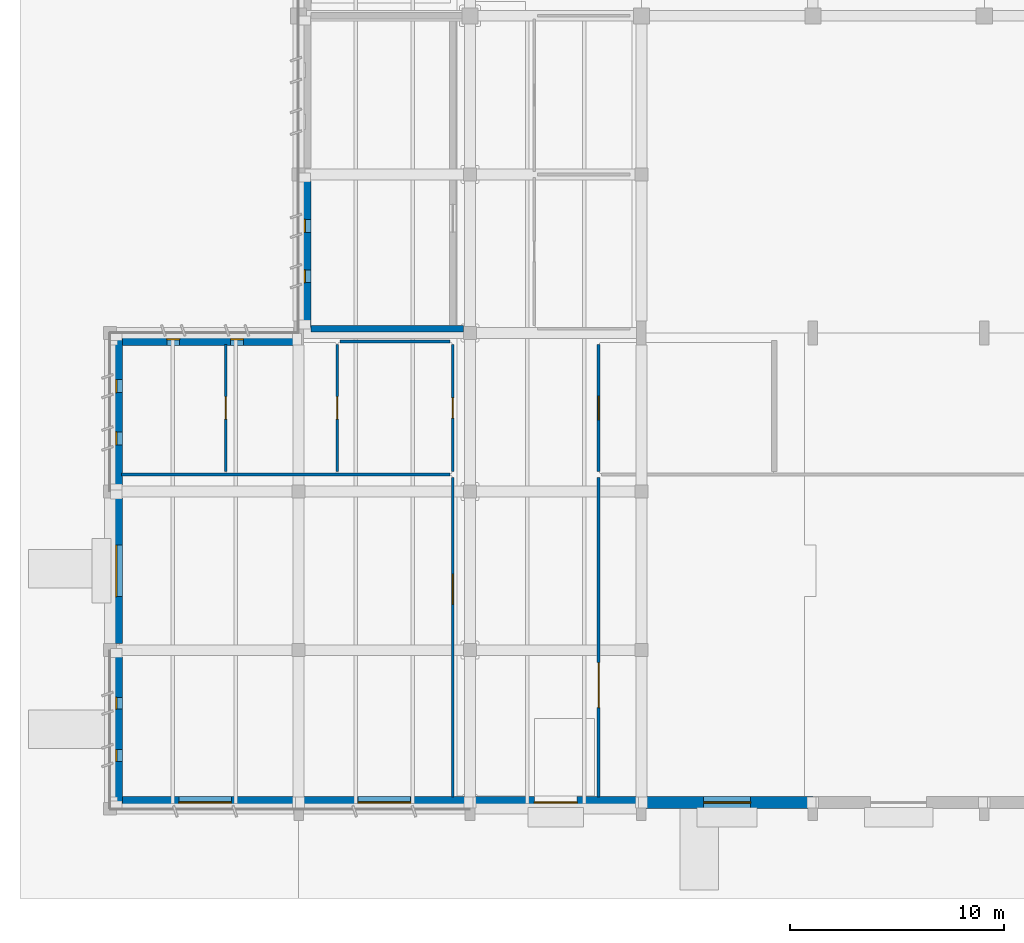
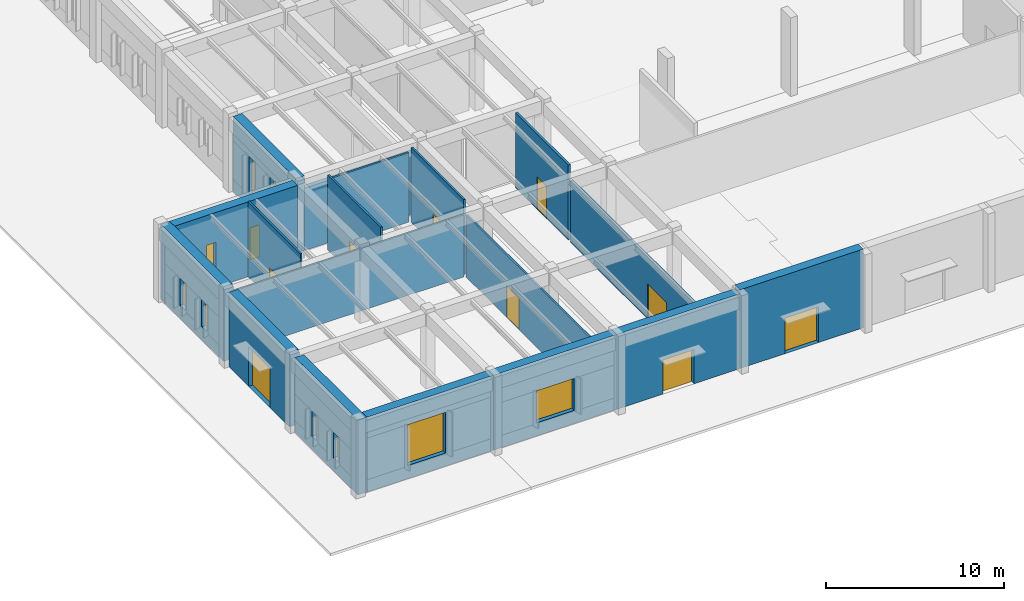
# One storey, part 16 of 56: 18 walls, 10 windows, 9 doors, 19 openings.
"""IFC4 building model written with IfcOpenShell, lengths in metres."""

from ifc_helpers import new_model, si_unit, direction, frame, frame_2d, origin, place, context, subcontext, project, spatial, rectangle, extrude, material, layer, layer_set, type_object, element, fill, save


model = new_model("IFC4")

# Units and contexts
model_context = context("Model", 3, precision=1e-05, world=origin(), true_north=direction((0.0, 1.0)))
body_context = subcontext(model_context, "Body", "Model", "MODEL_VIEW")
ifc_project = project(units=[si_unit("LENGTHUNIT", "METRE"), si_unit("AREAUNIT", "SQUARE_METRE"), si_unit("VOLUMEUNIT", "CUBIC_METRE"), si_unit("PLANEANGLEUNIT", "RADIAN"), si_unit("MASSUNIT", "GRAM", prefix="KILO")], contexts=[model_context])

# Site, building, storey
site_placement = place(None, origin())
site = spatial("IfcSite", under=ifc_project, at=site_placement, CompositionType="ELEMENT")
building_placement = place(site_placement, origin())
building = spatial("IfcBuilding", under=site, at=building_placement, Name="Valkorina Park Police Headquarters", CompositionType="ELEMENT")
storey_placement = place(building_placement, origin())
storey = spatial("IfcBuildingStorey", under=building, at=storey_placement, Name="L01", CompositionType="ELEMENT", Elevation=0.0)

# Wall, opening, door
ifc_material_1 = material(Name="Acoustic mineral board")
ifc_layer_1 = layer(ifc_material_1, 0.14990234375)
ifc_layer_set_1 = layer_set([ifc_layer_1], Name="Acoustic mineral board")
wall_type_1 = type_object("IfcWallType", Name="WL-ACOUST-150-EI30", PredefinedType="PARTITIONING", material=ifc_layer_set_1)
wall_1_placement = place(storey_placement, frame((22.800048828125, 0.5400390625, 0.0), z_axis=(0.0, 0.0, 1.0), x_axis=(0.0, 1.0, 0.0)))
wall_1 = element("IfcWall", 1, at=wall_1_placement, inside=storey, type_object=wall_type_1, Name="L01 Interior Partition 0046 (L01-PUB-01)", PredefinedType="PARTITIONING", context=body_context, shape_type="SweptSolid", body=[
    extrude(rectangle(XDim=14.919921875, YDim=0.14990234375, at=frame_2d((7.4599609375, 0.0))), origin(), (0.0, 0.0, 1.0), 4.27001953125),
])
opening_1_placement = place(wall_1_placement, frame((4.172119140625, 0.0, 0.0)))
opening_1 = element("IfcOpeningElement", 2, at=opening_1_placement, cuts=wall_1, Name="Opening ID-10", PredefinedType="OPENING", context=body_context, shape_type="SweptSolid", body=[
    extrude(rectangle(XDim=2.10009765625, YDim=2.39990234375, at=frame_2d((1.050048828125, 1.199951171875))), frame((0.0, 0.0849609375, 0.0), z_axis=(0.0, -1.0, 0.0), x_axis=(1.0, 0.0, 0.0)), (0.0, 0.0, 1.0), 0.169921875),
])
ifc_material_2 = material(Name="Thermally broken aluminium AW-6060", Category="aluminium")
ifc_layer_2 = layer(ifc_material_2, 0.050048828125)
ifc_layer_set_2 = layer_set([ifc_layer_2], Name="Thermally broken aluminium AW-6060")
door_type_1 = type_object("IfcDoorType", Name="DR-INT-CONC-2100x2400", OperationType="NOTDEFINED", PredefinedType="DOOR", material=ifc_layer_set_2)
door_1_placement = place(opening_1_placement, origin())
door_1 = element("IfcDoor", 3, at=door_1_placement, inside=storey, type_object=door_type_1, Name="Door D-L01-I018 (L01-PUB-01)", OperationType="DOUBLE_DOOR_SINGLE_SWING", OverallHeight=2.39990234375, OverallWidth=2.10009765625, PredefinedType="DOOR", context=body_context, shape_type="SweptSolid", body=[
    extrude(rectangle(XDim=2.10009765625, YDim=2.39990234375, at=frame_2d((1.050048828125, 1.199951171875))), frame((0.0, 0.02490234375, 0.0), z_axis=(0.0, -1.0, 0.0), x_axis=(1.0, 0.0, 0.0)), (0.0, 0.0, 1.0), 0.050048828125),
])
fill(opening_1, door_1)

wall_2_placement = place(storey_placement, frame((22.800048828125, 15.739990234375, 0.0), z_axis=(0.0, 0.0, 1.0), x_axis=(0.0, 1.0, 0.0)))
wall_2 = element("IfcWall", 4, at=wall_2_placement, inside=storey, type_object=wall_type_1, Name="L01 Interior Partition 0060 (L01-PUB-09)", PredefinedType="PARTITIONING", context=body_context, shape_type="SweptSolid", body=[
    extrude(rectangle(XDim=5.919921875, YDim=0.14990234375, at=frame_2d((2.9599609375, 0.0))), origin(), (0.0, 0.0, 1.0), 5.139892578125),
])
opening_2_placement = place(wall_2_placement, frame((2.409912109375, 0.0, 0.0)))
opening_2 = element("IfcOpeningElement", 5, at=opening_2_placement, cuts=wall_2, Name="Opening ID-05", PredefinedType="OPENING", context=body_context, shape_type="SweptSolid", body=[
    extrude(rectangle(XDim=1.10009765625, YDim=2.199951171875, at=frame_2d((0.550048828125, 1.10009765625))), frame((0.0, 0.0849609375, 0.0), z_axis=(0.0, -1.0, 0.0), x_axis=(1.0, 0.0, 0.0)), (0.0, 0.0, 1.0), 0.169921875),
])
ifc_layer_3 = layer(ifc_material_2, 0.050048828125)
ifc_layer_set_3 = layer_set([ifc_layer_3], Name="Thermally broken aluminium AW-6060")
door_type_2 = type_object("IfcDoorType", Name="DR-INT-INV-1100x2200", OperationType="NOTDEFINED", PredefinedType="DOOR", material=ifc_layer_set_3)
door_2_placement = place(opening_2_placement, origin())
door_2 = element("IfcDoor", 6, at=door_2_placement, inside=storey, type_object=door_type_2, Name="Door D-L01-I026 (L01-PUB-09)", OperationType="SINGLE_SWING_LEFT", OverallHeight=2.199951171875, OverallWidth=1.10009765625, PredefinedType="DOOR", context=body_context, shape_type="SweptSolid", body=[
    extrude(rectangle(XDim=1.10009765625, YDim=2.199951171875, at=frame_2d((0.550048828125, 1.10009765625))), frame((0.0, 0.02490234375, 0.0), z_axis=(0.0, -1.0, 0.0), x_axis=(1.0, 0.0, 0.0)), (0.0, 0.0, 1.0), 0.050048828125),
])
fill(opening_2, door_2)

# Wall
ifc_material_3 = material(Name="Concrete C40/50", Category="concrete")
ifc_layer_4 = layer(ifc_material_3, 0.300048828125)
ifc_layer_set_4 = layer_set([ifc_layer_4], Name="Concrete C40/50")
wall_type_2 = type_object("IfcWallType", Name="WL-CORE-300-REI120", PredefinedType="SHEAR", material=ifc_layer_set_4)
wall_3_placement = place(storey_placement, frame((9.3798828125, 22.39990234375, 0.0), z_axis=(0.0, 0.0, 1.0), x_axis=(1.0, 0.0, 0.0)))
element("IfcWall", 7, at=wall_3_placement, inside=storey, type_object=wall_type_2, Name="L01 Interior Partition 0061 (L01-FCC-01)", PredefinedType="SHEAR", context=body_context, shape_type="SweptSolid", body=[
    extrude(rectangle(XDim=7.1201171875, YDim=0.300048828125, at=frame_2d((3.56005859375, 0.0))), origin(), (0.0, 0.0, 1.0), 4.27001953125),
])

# Wall, openings, windows
ifc_material_4 = material(Name="Concrete C35/45", Category="concrete")
ifc_layer_5 = layer(ifc_material_4, 0.580078125)
ifc_layer_set_5 = layer_set([ifc_layer_5], Name="Concrete C35/45")
wall_type_3 = type_object("IfcWallType", Name="WL-EXT-BOARD-580", PredefinedType="STANDARD", material=ifc_layer_set_5)
wall_4_placement = place(storey_placement, frame((0.2900390625, 0.0, 0.0), z_axis=(0.0, 0.0, 1.0), x_axis=(0.0, 1.0, 0.0)))
wall_4 = element("IfcWall", 8, at=wall_4_placement, inside=storey, type_object=wall_type_3, Name="L01 Architectural Concrete Exterior Wall 0001", PredefinedType="STANDARD", context=body_context, shape_type="SweptSolid", body=[
    extrude(rectangle(XDim=7.090087890625, YDim=0.580078125, at=frame_2d((3.544921875, 0.0))), origin(), (0.0, 0.0, 1.0), 5.139892578125),
])
opening_3_placement = place(wall_4_placement, frame((2.20458984375, 0.0, 0.89990234375)))
opening_3 = element("IfcOpeningElement", 9, at=opening_3_placement, cuts=wall_4, Name="Opening WN-02", PredefinedType="OPENING", context=body_context, shape_type="SweptSolid", body=[
    extrude(rectangle(XDim=0.550048828125, YDim=1.75, at=frame_2d((0.27490234375, 0.875))), frame((0.0, 0.300048828125, 0.0), z_axis=(0.0, -1.0, 0.0), x_axis=(1.0, 0.0, 0.0)), (0.0, 0.0, 1.0), 0.60009765625),
])
opening_4_placement = place(wall_4_placement, frame((4.6455078125, 0.0, 0.89990234375)))
opening_4 = element("IfcOpeningElement", 10, at=opening_4_placement, cuts=wall_4, Name="Opening WN-02", PredefinedType="OPENING", context=body_context, shape_type="SweptSolid", body=[
    extrude(rectangle(XDim=0.550048828125, YDim=1.75, at=frame_2d((0.27490234375, 0.875))), frame((0.0, 0.300048828125, 0.0), z_axis=(0.0, -1.0, 0.0), x_axis=(1.0, 0.0, 0.0)), (0.0, 0.0, 1.0), 0.60009765625),
])
ifc_material_5 = material(Name="Triple low-E insulated glazing", Category="glass")
ifc_layer_6 = layer(ifc_material_5, 0.06005859375)
ifc_layer_set_6 = layer_set([ifc_layer_6], Name="Triple low-E insulated glazing")
window_type_1 = type_object("IfcWindowType", Name="WN-SLOT-550x1750", PartitioningType="SINGLE_PANEL", PredefinedType="WINDOW", material=ifc_layer_set_6)
window_1_placement = place(opening_3_placement, origin())
window_1 = element("IfcWindow", 11, at=window_1_placement, inside=storey, type_object=window_type_1, Name="Window L01-0001", OverallHeight=1.75, OverallWidth=0.550048828125, PartitioningType="SINGLE_PANEL", PredefinedType="WINDOW", context=body_context, shape_type="SweptSolid", body=[
    extrude(rectangle(XDim=0.550048828125, YDim=1.75, at=frame_2d((0.27490234375, 0.875))), frame((0.0, 0.030029296875, 0.0), z_axis=(0.0, -1.0, 0.0), x_axis=(1.0, 0.0, 0.0)), (0.0, 0.0, 1.0), 0.06005859375),
])
fill(opening_3, window_1)
window_2_placement = place(opening_4_placement, origin())
window_2 = element("IfcWindow", 12, at=window_2_placement, inside=storey, type_object=window_type_1, Name="Window L01-0002", OverallHeight=1.75, OverallWidth=0.550048828125, PartitioningType="SINGLE_PANEL", PredefinedType="WINDOW", context=body_context, shape_type="SweptSolid", body=[
    extrude(rectangle(XDim=0.550048828125, YDim=1.75, at=frame_2d((0.27490234375, 0.875))), frame((0.0, 0.030029296875, 0.0), z_axis=(0.0, -1.0, 0.0), x_axis=(1.0, 0.0, 0.0)), (0.0, 0.0, 1.0), 0.06005859375),
])
fill(opening_4, window_2)

# Wall, opening, door
wall_5_placement = place(storey_placement, frame((0.2900390625, 7.7099609375, 0.0), z_axis=(0.0, 0.0, 1.0), x_axis=(0.0, 1.0, 0.0)))
wall_5 = element("IfcWall", 13, at=wall_5_placement, inside=storey, type_object=wall_type_3, Name="L01 Architectural Concrete Exterior Wall 0002", PredefinedType="STANDARD", context=body_context, shape_type="SweptSolid", body=[
    extrude(rectangle(XDim=6.780029296875, YDim=0.580078125, at=frame_2d((3.39013671875, 0.0))), origin(), (0.0, 0.0, 1.0), 5.139892578125),
])
opening_5_placement = place(wall_5_placement, frame((2.18994140625, 0.0, 0.0)))
opening_5 = element("IfcOpeningElement", 14, at=opening_5_placement, cuts=wall_5, Name="Opening ED-03", PredefinedType="OPENING", context=body_context, shape_type="SweptSolid", body=[
    extrude(rectangle(XDim=2.39990234375, YDim=2.699951171875, at=frame_2d((1.199951171875, 1.35009765625))), frame((0.0, 0.300048828125, 0.0), z_axis=(0.0, -1.0, 0.0), x_axis=(1.0, 0.0, 0.0)), (0.0, 0.0, 1.0), 0.60009765625),
])
ifc_layer_7 = layer(ifc_material_2, 0.050048828125)
ifc_layer_set_7 = layer_set([ifc_layer_7], Name="Thermally broken aluminium AW-6060")
door_type_3 = type_object("IfcDoorType", Name="DR-EXT-MAIN-2400x2700", OperationType="NOTDEFINED", PredefinedType="DOOR", material=ifc_layer_set_7)
door_3_placement = place(opening_5_placement, origin())
door_3 = element("IfcDoor", 15, at=door_3_placement, inside=storey, type_object=door_type_3, Name="Door D-L01-001 (Final Pedestrian Exit)", OperationType="DOUBLE_DOOR_SINGLE_SWING", OverallHeight=2.699951171875, OverallWidth=2.39990234375, PredefinedType="DOOR", context=body_context, shape_type="SweptSolid", body=[
    extrude(rectangle(XDim=2.39990234375, YDim=2.699951171875, at=frame_2d((1.199951171875, 1.35009765625))), frame((0.0, 0.02490234375, 0.0), z_axis=(0.0, -1.0, 0.0), x_axis=(1.0, 0.0, 0.0)), (0.0, 0.0, 1.0), 0.050048828125),
])
fill(opening_5, door_3)

# Wall, openings, windows
wall_6_placement = place(storey_placement, frame((0.2900390625, 15.110107421875, 0.0), z_axis=(0.0, 0.0, 1.0), x_axis=(0.0, 1.0, 0.0)))
wall_6 = element("IfcWall", 16, at=wall_6_placement, inside=storey, type_object=wall_type_3, Name="L01 Architectural Concrete Exterior Wall 0003", PredefinedType="STANDARD", context=body_context, shape_type="SweptSolid", body=[
    extrude(rectangle(XDim=7.08984375, YDim=0.580078125, at=frame_2d((3.544921875, 0.0))), origin(), (0.0, 0.0, 1.0), 5.139892578125),
])
opening_6_placement = place(wall_6_placement, frame((1.86962890625, 0.0, 0.89990234375)))
opening_6 = element("IfcOpeningElement", 17, at=opening_6_placement, cuts=wall_6, Name="Opening WN-04", PredefinedType="OPENING", context=body_context, shape_type="SweptSolid", body=[
    extrude(rectangle(XDim=0.60009765625, YDim=1.85009765625, at=frame_2d((0.300048828125, 0.925048828125))), frame((0.0, 0.300048828125, 0.0), z_axis=(0.0, -1.0, 0.0), x_axis=(1.0, 0.0, 0.0)), (0.0, 0.0, 1.0), 0.60009765625),
])
opening_7_placement = place(wall_6_placement, frame((4.310302734375, 0.0, 0.89990234375)))
opening_7 = element("IfcOpeningElement", 18, at=opening_7_placement, cuts=wall_6, Name="Opening WN-04", PredefinedType="OPENING", context=body_context, shape_type="SweptSolid", body=[
    extrude(rectangle(XDim=0.60009765625, YDim=1.85009765625, at=frame_2d((0.300048828125, 0.925048828125))), frame((0.0, 0.300048828125, 0.0), z_axis=(0.0, -1.0, 0.0), x_axis=(1.0, 0.0, 0.0)), (0.0, 0.0, 1.0), 0.60009765625),
])
ifc_layer_8 = layer(ifc_material_5, 0.06005859375)
ifc_layer_set_8 = layer_set([ifc_layer_8], Name="Triple low-E insulated glazing")
window_type_2 = type_object("IfcWindowType", Name="WN-SLOT-600x1850", PartitioningType="SINGLE_PANEL", PredefinedType="WINDOW", material=ifc_layer_set_8)
window_3_placement = place(opening_6_placement, origin())
window_3 = element("IfcWindow", 19, at=window_3_placement, inside=storey, type_object=window_type_2, Name="Window L01-0003", OverallHeight=1.85009765625, OverallWidth=0.60009765625, PartitioningType="SINGLE_PANEL", PredefinedType="WINDOW", context=body_context, shape_type="SweptSolid", body=[
    extrude(rectangle(XDim=0.60009765625, YDim=1.85009765625, at=frame_2d((0.300048828125, 0.925048828125))), frame((0.0, 0.030029296875, 0.0), z_axis=(0.0, -1.0, 0.0), x_axis=(1.0, 0.0, 0.0)), (0.0, 0.0, 1.0), 0.06005859375),
])
fill(opening_6, window_3)
window_4_placement = place(opening_7_placement, origin())
window_4 = element("IfcWindow", 20, at=window_4_placement, inside=storey, type_object=window_type_2, Name="Window L01-0004", OverallHeight=1.85009765625, OverallWidth=0.60009765625, PartitioningType="SINGLE_PANEL", PredefinedType="WINDOW", context=body_context, shape_type="SweptSolid", body=[
    extrude(rectangle(XDim=0.60009765625, YDim=1.85009765625, at=frame_2d((0.300048828125, 0.925048828125))), frame((0.0, 0.030029296875, 0.0), z_axis=(0.0, -1.0, 0.0), x_axis=(1.0, 0.0, 0.0)), (0.0, 0.0, 1.0), 0.06005859375),
])
fill(opening_7, window_4)

wall_7_placement = place(storey_placement, frame((0.580078125, 21.909912109375, 0.0), z_axis=(0.0, 0.0, 1.0), x_axis=(1.0, 0.0, 0.0)))
wall_7 = element("IfcWall", 21, at=wall_7_placement, inside=storey, type_object=wall_type_3, Name="L01 Architectural Concrete Exterior Wall 0004", PredefinedType="STANDARD", context=body_context, shape_type="SweptSolid", body=[
    extrude(rectangle(XDim=7.98486328125, YDim=0.580078125, at=frame_2d((3.992431640625, 0.0))), origin(), (0.0, 0.0, 1.0), 5.139892578125),
])
opening_8_placement = place(wall_7_placement, frame((2.071533203125, 0.0, 0.89990234375)))
opening_8 = element("IfcOpeningElement", 22, at=opening_8_placement, cuts=wall_7, Name="Opening WN-05", PredefinedType="OPENING", context=body_context, shape_type="SweptSolid", body=[
    extrude(rectangle(XDim=0.60009765625, YDim=2.199951171875, at=frame_2d((0.300048828125, 1.10009765625))), frame((0.0, 0.300048828125, 0.0), z_axis=(0.0, -1.0, 0.0), x_axis=(1.0, 0.0, 0.0)), (0.0, 0.0, 1.0), 0.60009765625),
])
opening_9_placement = place(wall_7_placement, frame((5.04345703125, 0.0, 0.89990234375)))
opening_9 = element("IfcOpeningElement", 23, at=opening_9_placement, cuts=wall_7, Name="Opening WN-05", PredefinedType="OPENING", context=body_context, shape_type="SweptSolid", body=[
    extrude(rectangle(XDim=0.60009765625, YDim=2.199951171875, at=frame_2d((0.300048828125, 1.10009765625))), frame((0.0, 0.300048828125, 0.0), z_axis=(0.0, -1.0, 0.0), x_axis=(1.0, 0.0, 0.0)), (0.0, 0.0, 1.0), 0.60009765625),
])
ifc_layer_9 = layer(ifc_material_5, 0.06005859375)
ifc_layer_set_9 = layer_set([ifc_layer_9], Name="Triple low-E insulated glazing")
window_type_3 = type_object("IfcWindowType", Name="WN-SLOT-600x2200", PartitioningType="SINGLE_PANEL", PredefinedType="WINDOW", material=ifc_layer_set_9)
window_5_placement = place(opening_8_placement, origin())
window_5 = element("IfcWindow", 24, at=window_5_placement, inside=storey, type_object=window_type_3, Name="Window L01-0005", OverallHeight=2.199951171875, OverallWidth=0.60009765625, PartitioningType="SINGLE_PANEL", PredefinedType="WINDOW", context=body_context, shape_type="SweptSolid", body=[
    extrude(rectangle(XDim=0.60009765625, YDim=2.199951171875, at=frame_2d((0.300048828125, 1.10009765625))), frame((0.0, 0.030029296875, 0.0), z_axis=(0.0, -1.0, 0.0), x_axis=(1.0, 0.0, 0.0)), (0.0, 0.0, 1.0), 0.06005859375),
])
fill(opening_8, window_5)
window_6_placement = place(opening_9_placement, origin())
window_6 = element("IfcWindow", 25, at=window_6_placement, inside=storey, type_object=window_type_3, Name="Window L01-0006", OverallHeight=2.199951171875, OverallWidth=0.60009765625, PartitioningType="SINGLE_PANEL", PredefinedType="WINDOW", context=body_context, shape_type="SweptSolid", body=[
    extrude(rectangle(XDim=0.60009765625, YDim=2.199951171875, at=frame_2d((0.300048828125, 1.10009765625))), frame((0.0, 0.030029296875, 0.0), z_axis=(0.0, -1.0, 0.0), x_axis=(1.0, 0.0, 0.0)), (0.0, 0.0, 1.0), 0.06005859375),
])
fill(opening_9, window_6)

wall_8_placement = place(storey_placement, frame((9.090087890625, 22.25, 0.0), z_axis=(0.0, 0.0, 1.0), x_axis=(0.0, 1.0, 0.0)))
wall_8 = element("IfcWall", 26, at=wall_8_placement, inside=storey, type_object=wall_type_3, Name="L01 Architectural Concrete Exterior Wall 0005", PredefinedType="STANDARD", context=body_context, shape_type="SweptSolid", body=[
    extrude(rectangle(XDim=7.0400390625, YDim=0.580078125, at=frame_2d((3.52001953125, 0.0))), origin(), (0.0, 0.0, 1.0), 5.139892578125),
])
opening_10_placement = place(wall_8_placement, frame((2.299560546875, 0.0, 0.89990234375)))
opening_10 = element("IfcOpeningElement", 27, at=opening_10_placement, cuts=wall_8, Name="Opening WN-06", PredefinedType="OPENING", context=body_context, shape_type="SweptSolid", body=[
    extrude(rectangle(XDim=0.60009765625, YDim=2.60009765625, at=frame_2d((0.300048828125, 1.300048828125))), frame((0.0, 0.300048828125, 0.0), z_axis=(0.0, -1.0, 0.0), x_axis=(1.0, 0.0, 0.0)), (0.0, 0.0, 1.0), 0.60009765625),
])
opening_11_placement = place(wall_8_placement, frame((4.650390625, 0.0, 0.89990234375)))
opening_11 = element("IfcOpeningElement", 28, at=opening_11_placement, cuts=wall_8, Name="Opening WN-06", PredefinedType="OPENING", context=body_context, shape_type="SweptSolid", body=[
    extrude(rectangle(XDim=0.60009765625, YDim=2.60009765625, at=frame_2d((0.300048828125, 1.300048828125))), frame((0.0, 0.300048828125, 0.0), z_axis=(0.0, -1.0, 0.0), x_axis=(1.0, 0.0, 0.0)), (0.0, 0.0, 1.0), 0.60009765625),
])
ifc_layer_10 = layer(ifc_material_5, 0.06005859375)
ifc_layer_set_10 = layer_set([ifc_layer_10], Name="Triple low-E insulated glazing")
window_type_4 = type_object("IfcWindowType", Name="WN-SLOT-600x2600", PartitioningType="SINGLE_PANEL", PredefinedType="WINDOW", material=ifc_layer_set_10)
window_7_placement = place(opening_10_placement, origin())
window_7 = element("IfcWindow", 29, at=window_7_placement, inside=storey, type_object=window_type_4, Name="Window L01-0007", OverallHeight=2.60009765625, OverallWidth=0.60009765625, PartitioningType="SINGLE_PANEL", PredefinedType="WINDOW", context=body_context, shape_type="SweptSolid", body=[
    extrude(rectangle(XDim=0.60009765625, YDim=2.60009765625, at=frame_2d((0.300048828125, 1.300048828125))), frame((0.0, 0.030029296875, 0.0), z_axis=(0.0, -1.0, 0.0), x_axis=(1.0, 0.0, 0.0)), (0.0, 0.0, 1.0), 0.06005859375),
])
fill(opening_10, window_7)
window_8_placement = place(opening_11_placement, origin())
window_8 = element("IfcWindow", 30, at=window_8_placement, inside=storey, type_object=window_type_4, Name="Window L01-0008", OverallHeight=2.60009765625, OverallWidth=0.60009765625, PartitioningType="SINGLE_PANEL", PredefinedType="WINDOW", context=body_context, shape_type="SweptSolid", body=[
    extrude(rectangle(XDim=0.60009765625, YDim=2.60009765625, at=frame_2d((0.300048828125, 1.300048828125))), frame((0.0, 0.030029296875, 0.0), z_axis=(0.0, -1.0, 0.0), x_axis=(1.0, 0.0, 0.0)), (0.0, 0.0, 1.0), 0.06005859375),
])
fill(opening_11, window_8)

# Wall, opening, door
wall_9_placement = place(storey_placement, frame((32.800048828125, 0.2900390625, 0.0), z_axis=(0.0, 0.0, 1.0), x_axis=(-1.0, 0.0, 0.0)))
wall_9 = element("IfcWall", 31, at=wall_9_placement, inside=storey, type_object=wall_type_3, Name="L01 Architectural Concrete Exterior Wall 0091", PredefinedType="STANDARD", context=body_context, shape_type="SweptSolid", body=[
    extrude(rectangle(XDim=8.0, YDim=0.580078125, at=frame_2d((4.0, 0.0))), origin(), (0.0, 0.0, 1.0), 5.39990234375),
])
opening_12_placement = place(wall_9_placement, frame((2.89990234375, 0.0, 0.0)))
opening_12 = element("IfcOpeningElement", 32, at=opening_12_placement, cuts=wall_9, Name="Opening ED-06", PredefinedType="OPENING", context=body_context, shape_type="SweptSolid", body=[
    extrude(rectangle(XDim=2.199951171875, YDim=2.449951171875, at=frame_2d((1.10009765625, 1.22509765625))), frame((0.0, 0.300048828125, 0.0), z_axis=(0.0, -1.0, 0.0), x_axis=(1.0, 0.0, 0.0)), (0.0, 0.0, 1.0), 0.60009765625),
])
ifc_layer_11 = layer(ifc_material_2, 0.050048828125)
ifc_layer_set_11 = layer_set([ifc_layer_11], Name="Thermally broken aluminium AW-6060")
door_type_4 = type_object("IfcDoorType", Name="DR-EXT-EXIT-2200x2450", OperationType="NOTDEFINED", PredefinedType="DOOR", material=ifc_layer_set_11)
door_4_placement = place(opening_12_placement, origin())
door_4 = element("IfcDoor", 33, at=door_4_placement, inside=storey, type_object=door_type_4, Name="Door D-L01-018 (Final Pedestrian Exit)", OperationType="DOUBLE_DOOR_SINGLE_SWING", OverallHeight=2.449951171875, OverallWidth=2.199951171875, PredefinedType="DOOR", context=body_context, shape_type="SweptSolid", body=[
    extrude(rectangle(XDim=2.199951171875, YDim=2.449951171875, at=frame_2d((1.10009765625, 1.22509765625))), frame((0.0, 0.02490234375, 0.0), z_axis=(0.0, -1.0, 0.0), x_axis=(1.0, 0.0, 0.0)), (0.0, 0.0, 1.0), 0.050048828125),
])
fill(opening_12, door_4)

wall_10_placement = place(storey_placement, frame((24.800048828125, 0.2900390625, 0.0), z_axis=(0.0, 0.0, 1.0), x_axis=(-1.0, 0.0, 0.0)))
wall_10 = element("IfcWall", 34, at=wall_10_placement, inside=storey, type_object=wall_type_3, Name="L01 Architectural Concrete Exterior Wall 0092", PredefinedType="STANDARD", context=body_context, shape_type="SweptSolid", body=[
    extrude(rectangle(XDim=8.0, YDim=0.580078125, at=frame_2d((4.0, 0.0))), origin(), (0.0, 0.0, 1.0), 5.139892578125),
])
opening_13_placement = place(wall_10_placement, frame((3.0, 0.0, 0.0)))
opening_13 = element("IfcOpeningElement", 35, at=opening_13_placement, cuts=wall_10, Name="Opening ED-02", PredefinedType="OPENING", context=body_context, shape_type="SweptSolid", body=[
    extrude(rectangle(XDim=2.0, YDim=2.35009765625, at=frame_2d((1.0, 1.175048828125))), frame((0.0, 0.300048828125, 0.0), z_axis=(0.0, -1.0, 0.0), x_axis=(1.0, 0.0, 0.0)), (0.0, 0.0, 1.0), 0.60009765625),
])
ifc_layer_12 = layer(ifc_material_2, 0.050048828125)
ifc_layer_set_12 = layer_set([ifc_layer_12], Name="Thermally broken aluminium AW-6060")
door_type_5 = type_object("IfcDoorType", Name="DR-EXT-EXIT-2000x2350", OperationType="NOTDEFINED", PredefinedType="DOOR", material=ifc_layer_set_12)
door_5_placement = place(opening_13_placement, origin())
door_5 = element("IfcDoor", 36, at=door_5_placement, inside=storey, type_object=door_type_5, Name="Door D-L01-019 (Final Pedestrian Exit)", OperationType="DOUBLE_DOOR_SINGLE_SWING", OverallHeight=2.35009765625, OverallWidth=2.0, PredefinedType="DOOR", context=body_context, shape_type="SweptSolid", body=[
    extrude(rectangle(XDim=2.0, YDim=2.35009765625, at=frame_2d((1.0, 1.175048828125))), frame((0.0, 0.02490234375, 0.0), z_axis=(0.0, -1.0, 0.0), x_axis=(1.0, 0.0, 0.0)), (0.0, 0.0, 1.0), 0.050048828125),
])
fill(opening_13, door_5)

# Wall, opening, window
wall_11_placement = place(storey_placement, frame((16.800048828125, 0.2900390625, 0.0), z_axis=(0.0, 0.0, 1.0), x_axis=(-1.0, 0.0, 0.0)))
wall_11 = element("IfcWall", 37, at=wall_11_placement, inside=storey, type_object=wall_type_3, Name="L01 Architectural Concrete Exterior Wall 0093", PredefinedType="STANDARD", context=body_context, shape_type="SweptSolid", body=[
    extrude(rectangle(XDim=8.0, YDim=0.580078125, at=frame_2d((4.0, 0.0))), origin(), (0.0, 0.0, 1.0), 5.139892578125),
])
opening_14_placement = place(wall_11_placement, frame((2.77490234375, 0.0, 0.89990234375)))
opening_14 = element("IfcOpeningElement", 38, at=opening_14_placement, cuts=wall_11, Name="Opening WN-34", PredefinedType="OPENING", context=body_context, shape_type="SweptSolid", body=[
    extrude(rectangle(XDim=2.449951171875, YDim=2.199951171875, at=frame_2d((1.22509765625, 1.10009765625))), frame((0.0, 0.300048828125, 0.0), z_axis=(0.0, -1.0, 0.0), x_axis=(1.0, 0.0, 0.0)), (0.0, 0.0, 1.0), 0.60009765625),
])
ifc_layer_13 = layer(ifc_material_5, 0.06005859375)
ifc_layer_set_13 = layer_set([ifc_layer_13], Name="Triple low-E insulated glazing")
window_type_5 = type_object("IfcWindowType", Name="WN-HALL-2450x2200", PartitioningType="SINGLE_PANEL", PredefinedType="WINDOW", material=ifc_layer_set_13)
window_9_placement = place(opening_14_placement, origin())
window_9 = element("IfcWindow", 39, at=window_9_placement, inside=storey, type_object=window_type_5, Name="Window L01-0140", OverallHeight=2.199951171875, OverallWidth=2.449951171875, PartitioningType="SINGLE_PANEL", PredefinedType="WINDOW", context=body_context, shape_type="SweptSolid", body=[
    extrude(rectangle(XDim=2.449951171875, YDim=2.199951171875, at=frame_2d((1.22509765625, 1.10009765625))), frame((0.0, 0.030029296875, 0.0), z_axis=(0.0, -1.0, 0.0), x_axis=(1.0, 0.0, 0.0)), (0.0, 0.0, 1.0), 0.06005859375),
])
fill(opening_14, window_9)

wall_12_placement = place(storey_placement, frame((8.800048828125, 0.2900390625, 0.0), z_axis=(0.0, 0.0, 1.0), x_axis=(-1.0, 0.0, 0.0)))
wall_12 = element("IfcWall", 40, at=wall_12_placement, inside=storey, type_object=wall_type_3, Name="L01 Architectural Concrete Exterior Wall 0094", PredefinedType="STANDARD", context=body_context, shape_type="SweptSolid", body=[
    extrude(rectangle(XDim=8.219970703125, YDim=0.580078125, at=frame_2d((4.10986328125, 0.0))), origin(), (0.0, 0.0, 1.0), 5.139892578125),
])
opening_15_placement = place(wall_12_placement, frame((3.137451171875, 0.0, 0.89990234375)))
opening_15 = element("IfcOpeningElement", 41, at=opening_15_placement, cuts=wall_12, Name="Opening WN-35", PredefinedType="OPENING", context=body_context, shape_type="SweptSolid", body=[
    extrude(rectangle(XDim=2.449951171875, YDim=2.800048828125, at=frame_2d((1.22509765625, 1.39990234375))), frame((0.0, 0.300048828125, 0.0), z_axis=(0.0, -1.0, 0.0), x_axis=(1.0, 0.0, 0.0)), (0.0, 0.0, 1.0), 0.60009765625),
])
ifc_layer_14 = layer(ifc_material_5, 0.06005859375)
ifc_layer_set_14 = layer_set([ifc_layer_14], Name="Triple low-E insulated glazing")
window_type_6 = type_object("IfcWindowType", Name="WN-HALL-2450x2800", PartitioningType="SINGLE_PANEL", PredefinedType="WINDOW", material=ifc_layer_set_14)
window_10_placement = place(opening_15_placement, origin())
window_10 = element("IfcWindow", 42, at=window_10_placement, inside=storey, type_object=window_type_6, Name="Window L01-0141", OverallHeight=2.800048828125, OverallWidth=2.449951171875, PartitioningType="SINGLE_PANEL", PredefinedType="WINDOW", context=body_context, shape_type="SweptSolid", body=[
    extrude(rectangle(XDim=2.449951171875, YDim=2.800048828125, at=frame_2d((1.22509765625, 1.39990234375))), frame((0.0, 0.030029296875, 0.0), z_axis=(0.0, -1.0, 0.0), x_axis=(1.0, 0.0, 0.0)), (0.0, 0.0, 1.0), 0.06005859375),
])
fill(opening_15, window_10)

# Wall
ifc_material_6 = material(Name="Gypsum plasterboard")
ifc_layer_15 = layer(ifc_material_6, 0.125)
ifc_layer_set_15 = layer_set([ifc_layer_15], Name="Gypsum plasterboard")
wall_type_4 = type_object("IfcWallType", Name="WL-PART-125-EI30", PredefinedType="PARTITIONING", material=ifc_layer_set_15)
wall_13_placement = place(storey_placement, frame((0.5400390625, 15.60009765625, 0.0), z_axis=(0.0, 0.0, 1.0), x_axis=(1.0, 0.0, 0.0)))
element("IfcWall", 43, at=wall_13_placement, inside=storey, type_object=wall_type_4, Name="L01 Interior Partition 0051 (L01-PUB-04)", PredefinedType="PARTITIONING", context=body_context, shape_type="SweptSolid", body=[
    extrude(rectangle(XDim=15.320068359375, YDim=0.125, at=frame_2d((7.66015625, 0.0))), origin(), (0.0, 0.0, 1.0), 4.27001953125),
])

# Wall, opening, door
wall_14_placement = place(storey_placement, frame((16.0, 0.5400390625, 0.0), z_axis=(0.0, 0.0, 1.0), x_axis=(0.0, 1.0, 0.0)))
wall_14 = element("IfcWall", 44, at=wall_14_placement, inside=storey, type_object=wall_type_4, Name="L01 Interior Partition 0052 (L01-PUB-04)", PredefinedType="PARTITIONING", context=body_context, shape_type="SweptSolid", body=[
    extrude(rectangle(XDim=14.919921875, YDim=0.125, at=frame_2d((7.4599609375, 0.0))), origin(), (0.0, 0.0, 1.0), 4.27001953125),
])
opening_16_placement = place(wall_14_placement, frame((8.998046875, 0.0, 0.0)))
opening_16 = element("IfcOpeningElement", 45, at=opening_16_placement, cuts=wall_14, Name="Opening ID-07", PredefinedType="OPENING", context=body_context, shape_type="SweptSolid", body=[
    extrude(rectangle(XDim=1.39990234375, YDim=2.199951171875, at=frame_2d((0.699951171875, 1.10009765625))), frame((0.0, 0.072509765625, 0.0), z_axis=(0.0, -1.0, 0.0), x_axis=(1.0, 0.0, 0.0)), (0.0, 0.0, 1.0), 0.14501953125),
])
ifc_layer_16 = layer(ifc_material_2, 0.050048828125)
ifc_layer_set_16 = layer_set([ifc_layer_16], Name="Thermally broken aluminium AW-6060")
door_type_6 = type_object("IfcDoorType", Name="DR-INT-CONF-1400x2200", OperationType="NOTDEFINED", PredefinedType="DOOR", material=ifc_layer_set_16)
door_6_placement = place(opening_16_placement, origin())
door_6 = element("IfcDoor", 46, at=door_6_placement, inside=storey, type_object=door_type_6, Name="Door D-L01-I021 (L01-PUB-04)", OperationType="SINGLE_SWING_RIGHT", OverallHeight=2.199951171875, OverallWidth=1.39990234375, PredefinedType="DOOR", context=body_context, shape_type="SweptSolid", body=[
    extrude(rectangle(XDim=1.39990234375, YDim=2.199951171875, at=frame_2d((0.699951171875, 1.10009765625))), frame((0.0, 0.02490234375, 0.0), z_axis=(0.0, -1.0, 0.0), x_axis=(1.0, 0.0, 0.0)), (0.0, 0.0, 1.0), 0.050048828125),
])
fill(opening_16, door_6)

wall_15_placement = place(storey_placement, frame((5.39990234375, 15.739990234375, 0.0), z_axis=(0.0, 0.0, 1.0), x_axis=(0.0, 1.0, 0.0)))
wall_15 = element("IfcWall", 47, at=wall_15_placement, inside=storey, type_object=wall_type_4, Name="L01 Interior Partition 0053 (L01-PUB-05)", PredefinedType="PARTITIONING", context=body_context, shape_type="SweptSolid", body=[
    extrude(rectangle(XDim=5.919921875, YDim=0.125, at=frame_2d((2.9599609375, 0.0))), origin(), (0.0, 0.0, 1.0), 5.139892578125),
])
opening_17_placement = place(wall_15_placement, frame((2.43505859375, 0.0, 0.0)))
opening_17 = element("IfcOpeningElement", 48, at=opening_17_placement, cuts=wall_15, Name="Opening ID-03", PredefinedType="OPENING", context=body_context, shape_type="SweptSolid", body=[
    extrude(rectangle(XDim=1.050048828125, YDim=2.10009765625, at=frame_2d((0.52490234375, 1.050048828125))), frame((0.0, 0.072509765625, 0.0), z_axis=(0.0, -1.0, 0.0), x_axis=(1.0, 0.0, 0.0)), (0.0, 0.0, 1.0), 0.14501953125),
])
ifc_layer_17 = layer(ifc_material_2, 0.050048828125)
ifc_layer_set_17 = layer_set([ifc_layer_17], Name="Thermally broken aluminium AW-6060")
door_type_7 = type_object("IfcDoorType", Name="DR-INT-ACC-1050x2100", OperationType="NOTDEFINED", PredefinedType="DOOR", material=ifc_layer_set_17)
door_7_placement = place(opening_17_placement, origin())
door_7 = element("IfcDoor", 49, at=door_7_placement, inside=storey, type_object=door_type_7, Name="Door D-L01-I022 (L01-PUB-05)", OperationType="SINGLE_SWING_LEFT", OverallHeight=2.10009765625, OverallWidth=1.050048828125, PredefinedType="DOOR", context=body_context, shape_type="SweptSolid", body=[
    extrude(rectangle(XDim=1.050048828125, YDim=2.10009765625, at=frame_2d((0.52490234375, 1.050048828125))), frame((0.0, 0.02490234375, 0.0), z_axis=(0.0, -1.0, 0.0), x_axis=(1.0, 0.0, 0.0)), (0.0, 0.0, 1.0), 0.050048828125),
])
fill(opening_17, door_7)

wall_16_placement = place(storey_placement, frame((10.60009765625, 15.739990234375, 0.0), z_axis=(0.0, 0.0, 1.0), x_axis=(0.0, 1.0, 0.0)))
wall_16 = element("IfcWall", 50, at=wall_16_placement, inside=storey, type_object=wall_type_4, Name="L01 Interior Partition 0054 (L01-PUB-06)", PredefinedType="PARTITIONING", context=body_context, shape_type="SweptSolid", body=[
    extrude(rectangle(XDim=5.919921875, YDim=0.125, at=frame_2d((2.9599609375, 0.0))), origin(), (0.0, 0.0, 1.0), 5.139892578125),
])
opening_18_placement = place(wall_16_placement, frame((2.43505859375, 0.0, 0.0)))
opening_18 = element("IfcOpeningElement", 51, at=opening_18_placement, cuts=wall_16, Name="Opening ID-03", PredefinedType="OPENING", context=body_context, shape_type="SweptSolid", body=[
    extrude(rectangle(XDim=1.050048828125, YDim=2.10009765625, at=frame_2d((0.52490234375, 1.050048828125))), frame((0.0, 0.072509765625, 0.0), z_axis=(0.0, -1.0, 0.0), x_axis=(1.0, 0.0, 0.0)), (0.0, 0.0, 1.0), 0.14501953125),
])
door_8_placement = place(opening_18_placement, origin())
door_8 = element("IfcDoor", 52, at=door_8_placement, inside=storey, type_object=door_type_7, Name="Door D-L01-I023 (L01-PUB-06)", OperationType="SINGLE_SWING_RIGHT", OverallHeight=2.10009765625, OverallWidth=1.050048828125, PredefinedType="DOOR", context=body_context, shape_type="SweptSolid", body=[
    extrude(rectangle(XDim=1.050048828125, YDim=2.10009765625, at=frame_2d((0.52490234375, 1.050048828125))), frame((0.0, 0.02490234375, 0.0), z_axis=(0.0, -1.0, 0.0), x_axis=(1.0, 0.0, 0.0)), (0.0, 0.0, 1.0), 0.050048828125),
])
fill(opening_18, door_8)

# Wall
wall_17_placement = place(storey_placement, frame((10.739990234375, 21.800048828125, 0.0), z_axis=(0.0, 0.0, 1.0), x_axis=(1.0, 0.0, 0.0)))
element("IfcWall", 53, at=wall_17_placement, inside=storey, type_object=wall_type_4, Name="L01 Interior Partition 0055 (L01-PUB-07)", PredefinedType="PARTITIONING", context=body_context, shape_type="SweptSolid", body=[
    extrude(rectangle(XDim=5.1201171875, YDim=0.125, at=frame_2d((2.56005859375, 0.0))), origin(), (0.0, 0.0, 1.0), 4.760009765625),
])

# Wall, opening, door
wall_18_placement = place(storey_placement, frame((16.0, 15.739990234375, 0.0), z_axis=(0.0, 0.0, 1.0), x_axis=(0.0, 1.0, 0.0)))
wall_18 = element("IfcWall", 54, at=wall_18_placement, inside=storey, type_object=wall_type_4, Name="L01 Interior Partition 0056 (L01-PUB-07)", PredefinedType="PARTITIONING", context=body_context, shape_type="SweptSolid", body=[
    extrude(rectangle(XDim=5.919921875, YDim=0.125, at=frame_2d((2.9599609375, 0.0))), origin(), (0.0, 0.0, 1.0), 5.139892578125),
])
opening_19_placement = place(wall_18_placement, frame((2.485107421875, 0.0, 0.0)))
opening_19 = element("IfcOpeningElement", 55, at=opening_19_placement, cuts=wall_18, Name="Opening ID-02", PredefinedType="OPENING", context=body_context, shape_type="SweptSolid", body=[
    extrude(rectangle(XDim=0.949951171875, YDim=2.10009765625, at=frame_2d((0.47509765625, 1.050048828125))), frame((0.0, 0.072509765625, 0.0), z_axis=(0.0, -1.0, 0.0), x_axis=(1.0, 0.0, 0.0)), (0.0, 0.0, 1.0), 0.14501953125),
])
ifc_layer_18 = layer(ifc_material_2, 0.050048828125)
ifc_layer_set_18 = layer_set([ifc_layer_18], Name="Thermally broken aluminium AW-6060")
door_type_8 = type_object("IfcDoorType", Name="DR-INT-WC-950x2100", OperationType="NOTDEFINED", PredefinedType="DOOR", material=ifc_layer_set_18)
door_9_placement = place(opening_19_placement, origin())
door_9 = element("IfcDoor", 56, at=door_9_placement, inside=storey, type_object=door_type_8, Name="Door D-L01-I024 (L01-PUB-07)", OperationType="SINGLE_SWING_LEFT", OverallHeight=2.10009765625, OverallWidth=0.949951171875, PredefinedType="DOOR", context=body_context, shape_type="SweptSolid", body=[
    extrude(rectangle(XDim=0.949951171875, YDim=2.10009765625, at=frame_2d((0.47509765625, 1.050048828125))), frame((0.0, 0.02490234375, 0.0), z_axis=(0.0, -1.0, 0.0), x_axis=(1.0, 0.0, 0.0)), (0.0, 0.0, 1.0), 0.050048828125),
])
fill(opening_19, door_9)

save(model, "model.ifc")
